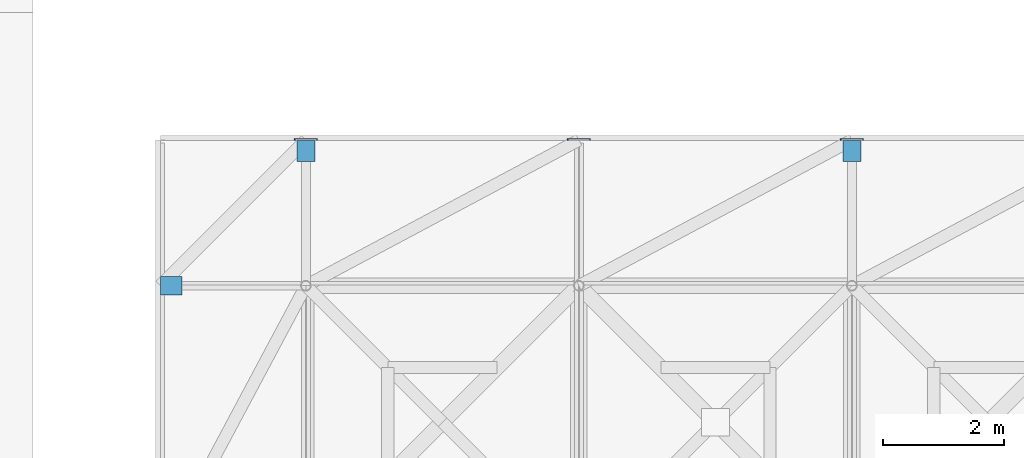
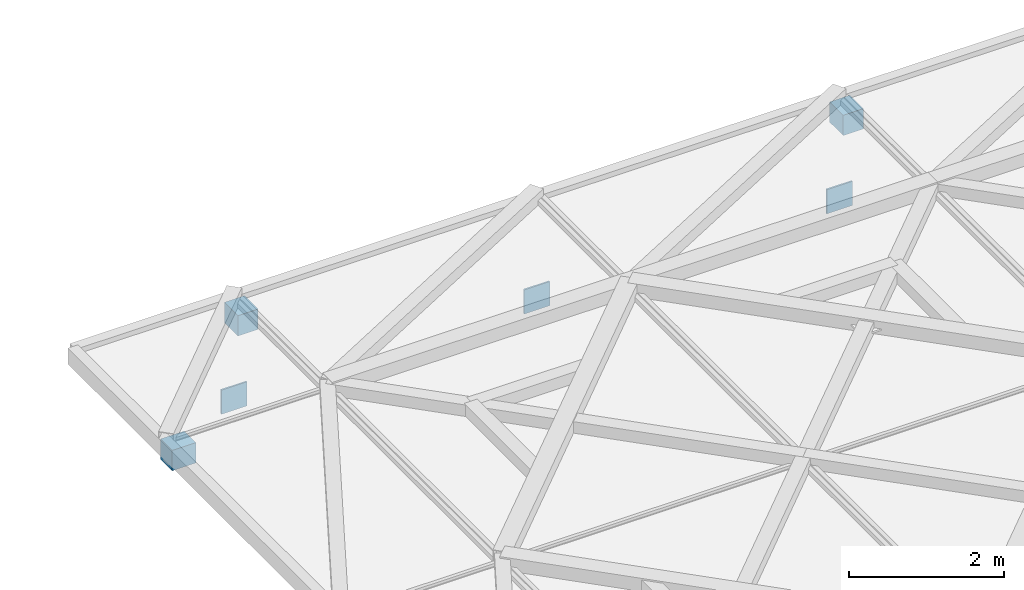
# One storey, part 74 of 80: 6 discrete accessories.
"""IFC4 building model written with IfcOpenShell, lengths in metres."""

from ifc_helpers import new_model, si_unit, direction, frame, origin, origin_2d, place, context, subcontext, project, spatial, rectangle, extrude, material, type_object, element, save


model = new_model("IFC4")

# Units and contexts
model_context = context("Model", 3, precision=1e-05, world=origin(), true_north=direction((0.0, 1.0)))
body_context = subcontext(model_context, "Body", "Model", "MODEL_VIEW")
ifc_project = project(units=[si_unit("LENGTHUNIT", "METRE"), si_unit("AREAUNIT", "SQUARE_METRE"), si_unit("VOLUMEUNIT", "CUBIC_METRE"), si_unit("PLANEANGLEUNIT", "RADIAN"), si_unit("MASSUNIT", "GRAM", prefix="KILO"), si_unit("THERMODYNAMICTEMPERATUREUNIT", "KELVIN"), si_unit("POWERUNIT", "WATT")], contexts=[model_context])

# Site, building, storey
site_placement = place(None, origin())
site = spatial("IfcSite", under=ifc_project, at=site_placement, CompositionType="ELEMENT")
building_placement = place(site_placement, origin())
building = spatial("IfcBuilding", under=site, at=building_placement, Name="Tallowbark Science Centre", CompositionType="ELEMENT")
storey_placement = place(building_placement, frame((0.0, 0.0, 25.949951171875)))
storey = spatial("IfcBuildingStorey", under=building, at=storey_placement, Name="ROOF", CompositionType="ELEMENT", Elevation=25.949951171875)

# Discrete accessories
ifc_material_1 = material(Name="White Architectural Painted Steel Grade C350L0 (350 MPa)", Category="steel")
discrete_accessory_type_1 = type_object("IfcDiscreteAccessoryType", Name="ACC-BRK-OUT", PredefinedType="BRACKET", material=ifc_material_1)
for number, where, z_axis, x_axis, name in (
    (1, (58.5, 42.719970703125, 0.0400390625), (0.0, 0.0, 1.0), (1.0, 0.0, 0.0), "Outrigger Gusset Bracket N-102"),
    (2, (67.5, 42.719970703125, 0.0400390625), (0.0, 0.0, 1.0), (1.0, 0.0, 0.0), "Outrigger Gusset Bracket N-104"),
):
    element("IfcDiscreteAccessory", number, at=place(storey_placement, frame(where, z_axis=z_axis, x_axis=x_axis)), inside=storey, type_object=discrete_accessory_type_1, Name=name, PredefinedType="BRACKET", context=body_context, shape_type="SweptSolid", body=[
        extrude(rectangle(XDim=0.300048828125, YDim=0.35009765625, at=origin_2d()), origin(), (0.0, 0.0, 1.0), 0.320068359375),
    ])
discrete_accessory_placement = place(storey_placement, frame((56.280029296875, 40.5, 0.0400390625), z_axis=(0.0, 0.0, 1.0), x_axis=(1.0, 0.0, 0.0)))
element("IfcDiscreteAccessory", 3, at=discrete_accessory_placement, inside=storey, type_object=discrete_accessory_type_1, Name="Outrigger Gusset Bracket W-121", PredefinedType="BRACKET", context=body_context, shape_type="SweptSolid", body=[
    extrude(rectangle(XDim=0.35009765625, YDim=0.300048828125, at=origin_2d()), origin(), (0.0, 0.0, 1.0), 0.320068359375),
])
ifc_material_2 = material(Name="Structural Steel Grade C350L0 (350 MPa)", Category="steel")
discrete_accessory_type_2 = type_object("IfcDiscreteAccessoryType", Name="ACC-CAP-380", PredefinedType="BRACKET", material=ifc_material_2)
for number, where, z_axis, x_axis, name in (
    (4, (58.5, 42.909912109375, -1.389892578125), (0.0, 0.0, 1.0), (1.0, 0.0, 0.0), "Truss Bottom Chord End Cap N-1"),
    (5, (63.0, 42.909912109375, -1.389892578125), (0.0, 0.0, 1.0), (1.0, 0.0, 0.0), "Truss Bottom Chord End Cap N-2"),
    (6, (67.5, 42.909912109375, -1.389892578125), (0.0, 0.0, 1.0), (1.0, 0.0, 0.0), "Truss Bottom Chord End Cap N-3"),
):
    element("IfcDiscreteAccessory", number, at=place(storey_placement, frame(where, z_axis=z_axis, x_axis=x_axis)), inside=storey, type_object=discrete_accessory_type_2, Name=name, PredefinedType="BRACKET", context=body_context, shape_type="SweptSolid", body=[
        extrude(rectangle(XDim=0.3798828125, YDim=0.02392578125, at=origin_2d()), origin(), (0.0, 0.0, 1.0), 0.3798828125),
    ])

save(model, "model.ifc")
